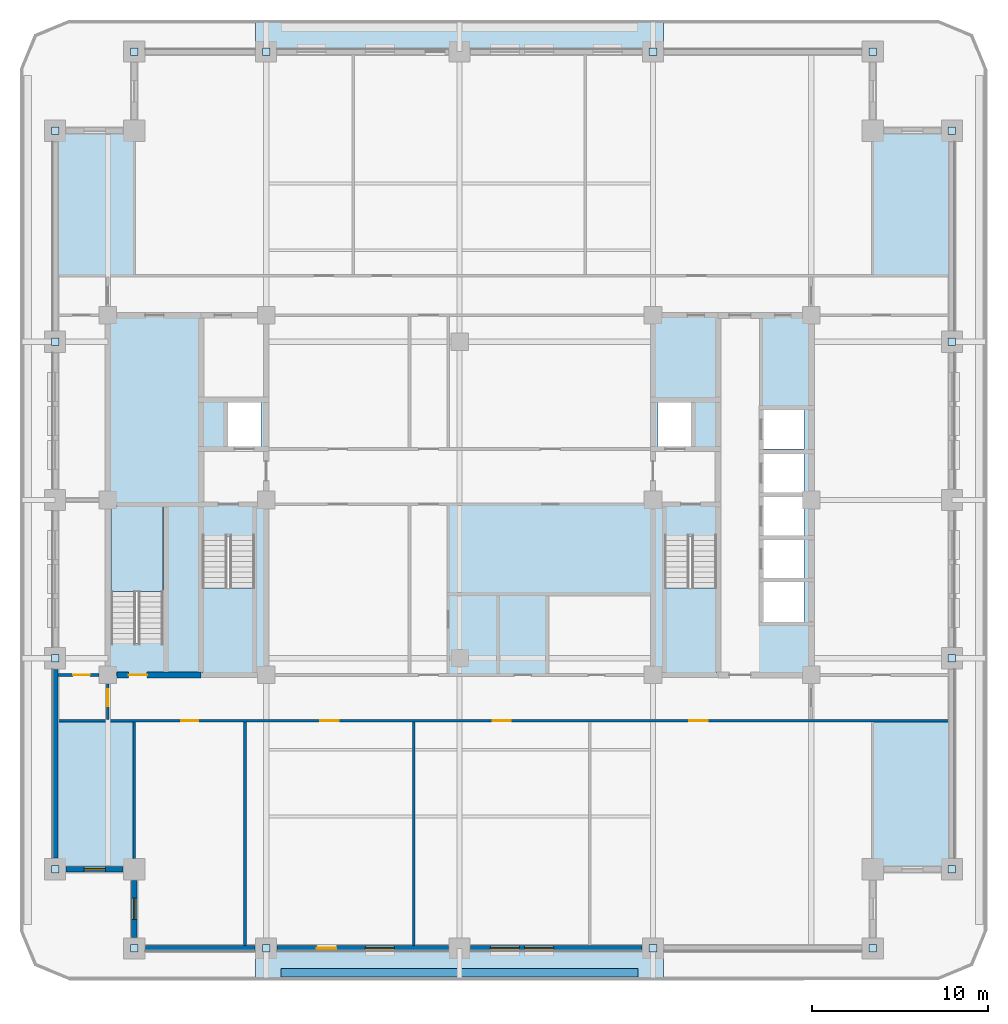
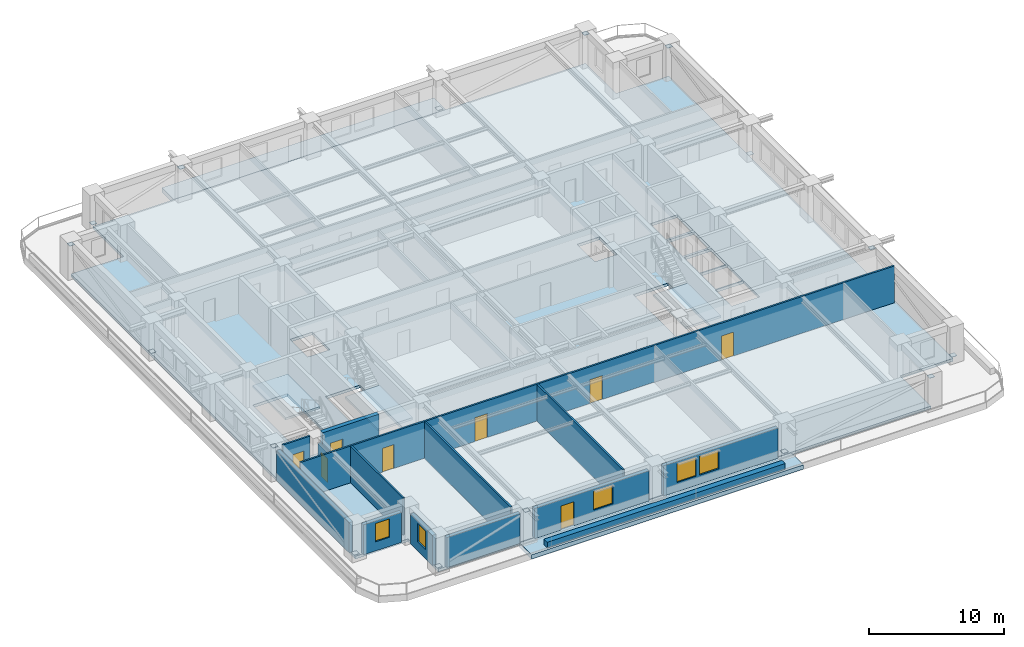
# One storey, part 2 of 13: 16 plates, 14 walls, 8 doors, 6 slabs, 5 windows, 13 openings, 3 elements without a shape of their own.
"""IFC4 building model written with IfcOpenShell, lengths in metres."""

from ifc_helpers import new_model, si_unit, direction, frame, frame_2d, origin, origin_2d, place, context, subcontext, project, spatial, polyline, rectangle, outline, extrude, material, layer, layer_set, type_object, element, fill, aggregate, save


model = new_model("IFC4")

# Units and contexts
model_context = context("Model", 3, precision=1e-05, world=origin(), true_north=direction((0.0, 1.0)))
body_context = subcontext(model_context, "Body", "Model", "MODEL_VIEW")
ifc_project = project(units=[si_unit("LENGTHUNIT", "METRE"), si_unit("AREAUNIT", "SQUARE_METRE"), si_unit("VOLUMEUNIT", "CUBIC_METRE"), si_unit("PLANEANGLEUNIT", "RADIAN"), si_unit("MASSUNIT", "GRAM", prefix="KILO")], contexts=[model_context])

# Site, building, storey
site_placement = place(None, origin())
site = spatial("IfcSite", under=ifc_project, at=site_placement, CompositionType="ELEMENT")
building_placement = place(site_placement, origin())
building = spatial("IfcBuilding", under=site, at=building_placement, Name="Zulmaris Gate Convention Tower", CompositionType="ELEMENT")
storey_placement = place(building_placement, frame((0.0, 0.0, 91.35986328125)))
storey = spatial("IfcBuildingStorey", under=building, at=storey_placement, Name="L22", CompositionType="ELEMENT", Elevation=91.35986328125)

# Plates
ifc_material_1 = material(Name="Steel S460", Category="steel")
ifc_layer_1 = layer(ifc_material_1, 0.02490234375, Name="Steel S460")
ifc_layer_set_1 = layer_set([ifc_layer_1], Name="Steel S460")
plate_type = type_object("IfcPlateType", Name="NP-CAP-440", PredefinedType="USERDEFINED", material=ifc_layer_set_1)
for number, where, z_axis, x_axis, name in (
    (1, (-23.0, -21.0, 0.28759765625), (0.0, 0.0, 1.0), (1.0, 0.0, 0.0), "L22 Steel Node Plate PBR-L22-SW-W-CAP"),
    (2, (-23.0, -9.0, 2.6875), (0.0, 0.0, 1.0), (1.0, 0.0, 0.0), "L22 Steel Node Plate PBR-L22-SW-W-CAPB"),
    (3, (-23.0, 9.0, 0.28759765625), (0.0, 0.0, 1.0), (1.0, 0.0, 0.0), "L22 Steel Node Plate PBR-L22-NW-W-CAP"),
    (4, (-23.0, 21.0, 2.6875), (0.0, 0.0, 1.0), (1.0, 0.0, 0.0), "L22 Steel Node Plate PBR-L22-NW-W-CAPB"),
    (5, (28.0, -21.0, 0.28759765625), (0.0, 0.0, 1.0), (1.0, 0.0, 0.0), "L22 Steel Node Plate PBR-L22-SE-E-CAP"),
    (6, (28.0, -9.0, 2.6875), (0.0, 0.0, 1.0), (1.0, 0.0, 0.0), "L22 Steel Node Plate PBR-L22-SE-E-CAPB"),
    (7, (28.0, 9.0, 0.28759765625), (0.0, 0.0, 1.0), (1.0, 0.0, 0.0), "L22 Steel Node Plate PBR-L22-NE-E-CAP"),
    (8, (28.0, 21.0, 2.6875), (0.0, 0.0, 1.0), (1.0, 0.0, 0.0), "L22 Steel Node Plate PBR-L22-NE-E-CAPB"),
    (9, (-18.5, -25.5, 0.28759765625), (0.0, 0.0, 1.0), (1.0, 0.0, 0.0), "L22 Steel Node Plate PBR-L22-SW-S-CAP"),
    (10, (-11.0, -25.5, 2.6875), (0.0, 0.0, 1.0), (1.0, 0.0, 0.0), "L22 Steel Node Plate PBR-L22-SW-S-CAPB"),
    (11, (11.0, -25.5, 0.28759765625), (0.0, 0.0, 1.0), (1.0, 0.0, 0.0), "L22 Steel Node Plate PBR-L22-SE-S-CAP"),
    (12, (23.5, -25.5, 2.6875), (0.0, 0.0, 1.0), (1.0, 0.0, 0.0), "L22 Steel Node Plate PBR-L22-SE-S-CAPB"),
    (13, (-18.5, 25.5, 0.28759765625), (0.0, 0.0, 1.0), (1.0, 0.0, 0.0), "L22 Steel Node Plate PBR-L22-NW-N-CAP"),
    (14, (-11.0, 25.5, 2.6875), (0.0, 0.0, 1.0), (1.0, 0.0, 0.0), "L22 Steel Node Plate PBR-L22-NW-N-CAPB"),
    (15, (11.0, 25.5, 0.28759765625), (0.0, 0.0, 1.0), (1.0, 0.0, 0.0), "L22 Steel Node Plate PBR-L22-NE-N-CAP"),
    (16, (23.5, 25.5, 2.6875), (0.0, 0.0, 1.0), (1.0, 0.0, 0.0), "L22 Steel Node Plate PBR-L22-NE-N-CAPB"),
):
    element("IfcPlate", number, at=place(storey_placement, frame(where, z_axis=z_axis, x_axis=x_axis)), inside=storey, type_object=plate_type, Name=name, ObjectType="FLANGE PLATE", PredefinedType="USERDEFINED", context=body_context, shape_type="SweptSolid", body=[
        extrude(rectangle(XDim=0.43994140625, YDim=0.43994140625, at=origin_2d()), origin(), (0.0, 0.0, 1.0), 0.02490234375),
    ])

# Slabs
ifc_material_2 = material(Name="Precast concrete C50/60", Category="concrete")
ifc_layer_2 = layer(ifc_material_2, 0.260009765625, Name="Precast concrete C50/60")
ifc_layer_set_2 = layer_set([ifc_layer_2], Name="Precast concrete C50/60")
slab_type_1 = type_object("IfcSlabType", Name="SL-BAL-260", PredefinedType="FLOOR", material=ifc_layer_set_2)
slab_1_placement = place(storey_placement, frame((0.0, 0.0, -0.425048828125)))
element("IfcSlab", 17, at=slab_1_placement, inside=storey, type_object=slab_type_1, Name="L22 South Tree-Balcony Planter Slab", PredefinedType="FLOOR", context=body_context, shape_type="SweptSolid", body=[
    extrude(outline(polyline([(-11.597900390625, -27.300048828125), (-11.597900390625, -25.5), (11.597900390625, -25.5), (11.597900390625, -27.300048828125), (-11.597900390625, -27.300048828125)])), origin(), (0.0, 0.0, 1.0), 0.385009765625),
])
slab_2_placement = place(storey_placement, frame((0.0, 0.0, -0.425048828125)))
element("IfcSlab", 18, at=slab_2_placement, inside=storey, type_object=slab_type_1, Name="L22 North Tree-Balcony Planter Slab", PredefinedType="FLOOR", context=body_context, shape_type="SweptSolid", body=[
    extrude(outline(polyline([(11.597900390625, 27.300048828125), (11.597900390625, 25.5), (-11.597900390625, 25.5), (-11.597900390625, 27.300048828125), (11.597900390625, 27.300048828125)])), origin(), (0.0, 0.0, 1.0), 0.385009765625),
])
ifc_material_3 = material(Name="Concrete C50/60", Category="concrete")
ifc_layer_3 = layer(ifc_material_3, 0.25, Name="Concrete C50/60")
ifc_layer_set_3 = layer_set([ifc_layer_3], Name="Concrete C50/60")
slab_type_2 = type_object("IfcSlabType", Name="SL-FLR-250", PredefinedType="FLOOR", material=ifc_layer_set_3)
slab_3_placement = place(storey_placement, frame((0.0, 0.0, -0.25)))
element("IfcSlab", 19, at=slab_3_placement, inside=storey, type_object=slab_type_2, Name="L22 Shifted Notched-Square Structural Floor Slab", PredefinedType="FLOOR", context=body_context, shape_type="SweptSolid", body=[
    extrude(outline(polyline([(-18.5, -25.5), (23.5, -25.5), (23.5, -21.0), (28.0, -21.0), (28.0, 21.0), (23.5, 21.0), (23.5, 25.5), (-18.5, 25.5), (-18.5, 21.0), (-23.0, 21.0), (-23.0, -21.0), (-18.5, -21.0), (-18.5, -25.5)]), holes=[polyline([(-14.6201171875, -2.080078125), (-14.6201171875, -9.85009765625), (-11.659912109375, -9.85009765625), (-11.659912109375, -2.080078125), (-14.6201171875, -2.080078125)]), polyline([(11.659912109375, -2.080078125), (11.659912109375, -9.85009765625), (14.6201171875, -9.85009765625), (14.6201171875, -2.080078125), (11.659912109375, -2.080078125)]), polyline([(-16.860107421875, -8.1201171875), (-16.860107421875, -0.35009765625), (-19.820068359375, -0.35009765625), (-19.820068359375, -8.1201171875), (-16.860107421875, -8.1201171875)]), polyline([(-13.199951171875, 3.0), (-11.300048828125, 3.0), (-11.300048828125, 5.60009765625), (-13.199951171875, 5.60009765625), (-13.199951171875, 3.0)]), polyline([(11.300048828125, 3.0), (13.199951171875, 3.0), (13.199951171875, 5.60009765625), (11.300048828125, 5.60009765625), (11.300048828125, 3.0)]), polyline([(17.199951171875, -7.0), (19.60009765625, -7.0), (19.60009765625, -4.60009765625), (17.199951171875, -4.60009765625), (17.199951171875, -7.0)]), polyline([(17.300048828125, -4.5), (19.60009765625, -4.5), (19.60009765625, -2.199951171875), (17.300048828125, -2.199951171875), (17.300048828125, -4.5)]), polyline([(17.300048828125, -2.10009765625), (19.60009765625, -2.10009765625), (19.60009765625, 0.199951171875), (17.300048828125, 0.199951171875), (17.300048828125, -2.10009765625)]), polyline([(17.300048828125, 0.39990234375), (19.60009765625, 0.39990234375), (19.60009765625, 2.699951171875), (17.300048828125, 2.699951171875), (17.300048828125, 0.39990234375)]), polyline([(17.300048828125, 2.89990234375), (19.60009765625, 2.89990234375), (19.60009765625, 5.199951171875), (17.300048828125, 5.199951171875), (17.300048828125, 2.89990234375)])]), origin(), (0.0, 0.0, 1.0), 0.25),
])

# Stair, slab
ifc_material_4 = material(Name="Concrete C45/55", Category="concrete")
stair_type = type_object("IfcStairType", Name="ST-CORE-DOGLEG", PredefinedType="HALF_TURN_STAIR", material=ifc_material_4)
stair_1_placement = place(storey_placement, origin())
stair_1 = element("IfcStair", 20, at=stair_1_placement, inside=storey, type_object=stair_type, Name="L22 Core Exit Stair ST-1", PredefinedType="HALF_TURN_STAIR")
ifc_layer_4 = layer(ifc_material_4, 0.199951171875, Name="Concrete C45/55")
ifc_layer_set_4 = layer_set([ifc_layer_4], Name="Concrete C45/55")
slab_type_3 = type_object("IfcSlabType", Name="SL-LND-200", PredefinedType="LANDING", material=ifc_layer_set_4)
slab_4_placement = place(storey_placement, frame((0.0, 0.0, 1.5849609375)))
slab_4 = element("IfcSlab", 21, at=slab_4_placement, type_object=slab_type_3, Name="ST-1 landing 1", PredefinedType="LANDING", context=body_context, shape_type="SweptSolid", body=[
    extrude(outline(polyline([(-14.6201171875, -5.0), (-14.6201171875, -9.85009765625), (-11.659912109375, -9.85009765625), (-11.659912109375, -5.0), (-14.6201171875, -5.0)])), origin(), (0.0, 0.0, 1.0), 0.2001953125),
])
aggregate(stair_1, [slab_4])

stair_2_placement = place(storey_placement, origin())
stair_2 = element("IfcStair", 22, at=stair_2_placement, inside=storey, type_object=stair_type, Name="L22 Core Exit Stair ST-2", PredefinedType="HALF_TURN_STAIR")
slab_5_placement = place(storey_placement, frame((0.0, 0.0, 1.5849609375)))
slab_5 = element("IfcSlab", 23, at=slab_5_placement, type_object=slab_type_3, Name="ST-2 landing 1", PredefinedType="LANDING", context=body_context, shape_type="SweptSolid", body=[
    extrude(outline(polyline([(11.659912109375, -5.0), (11.659912109375, -9.85009765625), (14.6201171875, -9.85009765625), (14.6201171875, -5.0), (11.659912109375, -5.0)])), origin(), (0.0, 0.0, 1.0), 0.2001953125),
])
aggregate(stair_2, [slab_5])

stair_3_placement = place(storey_placement, origin())
stair_3 = element("IfcStair", 24, at=stair_3_placement, inside=storey, type_object=stair_type, Name="L22 Core Exit Stair ST-3", PredefinedType="HALF_TURN_STAIR")
slab_6_placement = place(storey_placement, frame((0.0, 0.0, 1.5849609375)))
slab_6 = element("IfcSlab", 25, at=slab_6_placement, type_object=slab_type_3, Name="ST-3 landing 1", PredefinedType="LANDING", context=body_context, shape_type="SweptSolid", body=[
    extrude(outline(polyline([(-16.860107421875, -5.199951171875), (-16.860107421875, -0.35009765625), (-19.820068359375, -0.35009765625), (-19.820068359375, -5.199951171875), (-16.860107421875, -5.199951171875)])), origin(), (0.0, 0.0, 1.0), 0.2001953125),
])
aggregate(stair_3, [slab_6])

# Wall, opening, door
ifc_material_5 = material(Name="Concrete C55/67", Category="concrete")
ifc_layer_5 = layer(ifc_material_5, 0.35009765625, Name="Concrete C55/67")
ifc_layer_set_5 = layer_set([ifc_layer_5], Name="Concrete C55/67")
wall_type_1 = type_object("IfcWallType", Name="CORE-350", PredefinedType="SHEAR", material=ifc_layer_set_5)
wall_1_placement = place(storey_placement, frame((-19.49609375, -9.949951171875, 0.0), z_axis=(0.0, 0.0, 1.0), x_axis=(1.0, 0.0, 0.0)))
wall_1 = element("IfcWall", 26, at=wall_1_placement, inside=storey, type_object=wall_type_1, Name="WL-L22-001", PredefinedType="SHEAR", context=body_context, shape_type="SweptSolid", body=[
    extrude(rectangle(XDim=4.796142578125, YDim=0.35009765625, at=frame_2d((2.39794921875, 0.0))), origin(), (0.0, 0.0, 1.0), 3.320068359375),
])
opening_1_placement = place(wall_1_placement, frame((0.6708984375, 0.0, 0.0)))
opening_1 = element("IfcOpeningElement", 27, at=opening_1_placement, cuts=wall_1, Name="Opening D-09", PredefinedType="OPENING", context=body_context, shape_type="SweptSolid", body=[
    extrude(rectangle(XDim=1.050048828125, YDim=2.14990234375, at=frame_2d((0.52490234375, 1.074951171875))), frame((0.0, 0.18505859375, 0.0), z_axis=(0.0, -1.0, 0.0), x_axis=(1.0, 0.0, 0.0)), (0.0, 0.0, 1.0), 0.3701171875),
])
ifc_material_6 = material(Name="Fire-Rated Steel", Category="steel")
door_type_1 = type_object("IfcDoorType", Name="DR-1050-FD", OperationType="NOTDEFINED", PredefinedType="DOOR", material=ifc_material_6)
door_1_placement = place(opening_1_placement, origin())
door_1 = element("IfcDoor", 28, at=door_1_placement, inside=storey, type_object=door_type_1, Name="L22 Exit Stair ST-3 Door 09", OperationType="SINGLE_SWING_LEFT", OverallHeight=2.14990234375, OverallWidth=1.050048828125, PredefinedType="DOOR", context=body_context, shape_type="SweptSolid", body=[
    extrude(rectangle(XDim=1.050048828125, YDim=2.14990234375, at=frame_2d((0.52490234375, 1.074951171875))), frame((0.0, 0.02490234375, 0.0), z_axis=(0.0, -1.0, 0.0), x_axis=(1.0, 0.0, 0.0)), (0.0, 0.0, 1.0), 0.050048828125),
])
fill(opening_1, door_1)

# Wall, openings, doors
ifc_material_7 = material(Name="Gypsum Metal Stud Partition")
ifc_layer_6 = layer(ifc_material_7, 0.14990234375, Name="Gypsum Metal Stud Partition")
ifc_layer_set_6 = layer_set([ifc_layer_6], Name="Gypsum Metal Stud Partition")
wall_type_2 = type_object("IfcWallType", Name="PART-150", PredefinedType="PARTITIONING", material=ifc_layer_set_6)
wall_2_placement = place(storey_placement, frame((-22.8349609375, -12.550048828125, 0.0), z_axis=(0.0, 0.0, 1.0), x_axis=(1.0, 0.0, 0.0)))
wall_2 = element("IfcWall", 29, at=wall_2_placement, inside=storey, type_object=wall_type_2, Name="WL-L22-021", PredefinedType="PARTITIONING", context=body_context, shape_type="SweptSolid", body=[
    extrude(rectangle(XDim=50.669921875, YDim=0.14990234375, at=frame_2d((25.3349609375, 0.0))), origin(), (0.0, 0.0, 1.0), 3.320068359375),
])
opening_2_placement = place(wall_2_placement, frame((7.010009765625, 0.0, 0.0)))
opening_2 = element("IfcOpeningElement", 30, at=opening_2_placement, cuts=wall_2, Name="Opening D-11", PredefinedType="OPENING", context=body_context, shape_type="SweptSolid", body=[
    extrude(rectangle(XDim=0.949951171875, YDim=2.14990234375, at=frame_2d((0.47509765625, 1.074951171875))), frame((0.0, 0.0849609375, 0.0), z_axis=(0.0, -1.0, 0.0), x_axis=(1.0, 0.0, 0.0)), (0.0, 0.0, 1.0), 0.169921875),
])
opening_3_placement = place(wall_2_placement, frame((14.909912109375, 0.0, 0.0)))
opening_3 = element("IfcOpeningElement", 31, at=opening_3_placement, cuts=wall_2, Name="Opening D-09", PredefinedType="OPENING", context=body_context, shape_type="SweptSolid", body=[
    extrude(rectangle(XDim=1.050048828125, YDim=2.14990234375, at=frame_2d((0.52490234375, 1.074951171875))), frame((0.0, 0.0849609375, 0.0), z_axis=(0.0, -1.0, 0.0), x_axis=(1.0, 0.0, 0.0)), (0.0, 0.0, 1.0), 0.169921875),
])
opening_4_placement = place(wall_2_placement, frame((24.7099609375, 0.0, 0.0)))
opening_4 = element("IfcOpeningElement", 32, at=opening_4_placement, cuts=wall_2, Name="Opening D-09", PredefinedType="OPENING", context=body_context, shape_type="SweptSolid", body=[
    extrude(rectangle(XDim=1.050048828125, YDim=2.14990234375, at=frame_2d((0.52490234375, 1.074951171875))), frame((0.0, 0.0849609375, 0.0), z_axis=(0.0, -1.0, 0.0), x_axis=(1.0, 0.0, 0.0)), (0.0, 0.0, 1.0), 0.169921875),
])
opening_5_placement = place(wall_2_placement, frame((35.909912109375, 0.0, 0.0)))
opening_5 = element("IfcOpeningElement", 33, at=opening_5_placement, cuts=wall_2, Name="Opening D-09", PredefinedType="OPENING", context=body_context, shape_type="SweptSolid", body=[
    extrude(rectangle(XDim=1.050048828125, YDim=2.14990234375, at=frame_2d((0.52490234375, 1.074951171875))), frame((0.0, 0.0849609375, 0.0), z_axis=(0.0, -1.0, 0.0), x_axis=(1.0, 0.0, 0.0)), (0.0, 0.0, 1.0), 0.169921875),
])
door_2_placement = place(opening_3_placement, origin())
door_2 = element("IfcDoor", 34, at=door_2_placement, inside=storey, type_object=door_type_1, Name="L22 Corporate Strategy Office Door 26", OperationType="SINGLE_SWING_RIGHT", OverallHeight=2.14990234375, OverallWidth=1.050048828125, PredefinedType="DOOR", context=body_context, shape_type="SweptSolid", body=[
    extrude(rectangle(XDim=1.050048828125, YDim=2.14990234375, at=frame_2d((0.52490234375, 1.074951171875))), frame((0.0, 0.02490234375, 0.0), z_axis=(0.0, -1.0, 0.0), x_axis=(1.0, 0.0, 0.0)), (0.0, 0.0, 1.0), 0.050048828125),
])
fill(opening_3, door_2)
door_3_placement = place(opening_4_placement, origin())
door_3 = element("IfcDoor", 35, at=door_3_placement, inside=storey, type_object=door_type_1, Name="L22 Project Advisory Studio Door 27", OperationType="SINGLE_SWING_LEFT", OverallHeight=2.14990234375, OverallWidth=1.050048828125, PredefinedType="DOOR", context=body_context, shape_type="SweptSolid", body=[
    extrude(rectangle(XDim=1.050048828125, YDim=2.14990234375, at=frame_2d((0.52490234375, 1.074951171875))), frame((0.0, 0.02490234375, 0.0), z_axis=(0.0, -1.0, 0.0), x_axis=(1.0, 0.0, 0.0)), (0.0, 0.0, 1.0), 0.050048828125),
])
fill(opening_4, door_3)
door_4_placement = place(opening_5_placement, origin())
door_4 = element("IfcDoor", 36, at=door_4_placement, inside=storey, type_object=door_type_1, Name="L22 Policy Research Study Door 28", OperationType="SINGLE_SWING_RIGHT", OverallHeight=2.14990234375, OverallWidth=1.050048828125, PredefinedType="DOOR", context=body_context, shape_type="SweptSolid", body=[
    extrude(rectangle(XDim=1.050048828125, YDim=2.14990234375, at=frame_2d((0.52490234375, 1.074951171875))), frame((0.0, 0.02490234375, 0.0), z_axis=(0.0, -1.0, 0.0), x_axis=(1.0, 0.0, 0.0)), (0.0, 0.0, 1.0), 0.050048828125),
])
fill(opening_5, door_4)
ifc_material_8 = material(Name="Fire-Rated Timber", Category="wood")
door_type_2 = type_object("IfcDoorType", Name="DR-950-FD", OperationType="NOTDEFINED", PredefinedType="DOOR", material=ifc_material_8)
door_5_placement = place(opening_2_placement, origin())
door_5 = element("IfcDoor", 37, at=door_5_placement, inside=storey, type_object=door_type_2, Name="L22 Executive Boardroom Door 25", OperationType="SINGLE_SWING_LEFT", OverallHeight=2.14990234375, OverallWidth=0.949951171875, PredefinedType="DOOR", context=body_context, shape_type="SweptSolid", body=[
    extrude(rectangle(XDim=0.949951171875, YDim=2.14990234375, at=frame_2d((0.47509765625, 1.074951171875))), frame((0.0, 0.02490234375, 0.0), z_axis=(0.0, -1.0, 0.0), x_axis=(1.0, 0.0, 0.0)), (0.0, 0.0, 1.0), 0.050048828125),
])
fill(opening_2, door_5)

# Wall, opening, door
wall_3_placement = place(storey_placement, frame((-22.8349609375, -9.949951171875, 0.0), z_axis=(0.0, 0.0, 1.0), x_axis=(1.0, 0.0, 0.0)))
wall_3 = element("IfcWall", 38, at=wall_3_placement, inside=storey, type_object=wall_type_2, Name="WL-L22-022", PredefinedType="PARTITIONING", context=body_context, shape_type="SweptSolid", body=[
    extrude(rectangle(XDim=2.328857421875, YDim=0.14990234375, at=frame_2d((1.16455078125, 0.0))), origin(), (0.0, 0.0, 1.0), 3.320068359375),
])
opening_6_placement = place(wall_3_placement, frame((0.860107421875, 0.0, 0.0)))
opening_6 = element("IfcOpeningElement", 39, at=opening_6_placement, cuts=wall_3, Name="Opening D-11", PredefinedType="OPENING", context=body_context, shape_type="SweptSolid", body=[
    extrude(rectangle(XDim=0.949951171875, YDim=2.14990234375, at=frame_2d((0.47509765625, 1.074951171875))), frame((0.0, 0.0849609375, 0.0), z_axis=(0.0, -1.0, 0.0), x_axis=(1.0, 0.0, 0.0)), (0.0, 0.0, 1.0), 0.169921875),
])
door_6_placement = place(opening_6_placement, origin())
door_6 = element("IfcDoor", 40, at=door_6_placement, inside=storey, type_object=door_type_2, Name="L22 SW Partner Door 39", OperationType="SINGLE_SWING_LEFT", OverallHeight=2.14990234375, OverallWidth=0.949951171875, PredefinedType="DOOR", context=body_context, shape_type="SweptSolid", body=[
    extrude(rectangle(XDim=0.949951171875, YDim=2.14990234375, at=frame_2d((0.47509765625, 1.074951171875))), frame((0.0, 0.02490234375, 0.0), z_axis=(0.0, -1.0, 0.0), x_axis=(1.0, 0.0, 0.0)), (0.0, 0.0, 1.0), 0.050048828125),
])
fill(opening_6, door_6)

wall_4_placement = place(storey_placement, frame((-20.0, -12.471923828125, 0.0), z_axis=(0.0, 0.0, 1.0), x_axis=(0.0, 1.0, 0.0)))
wall_4 = element("IfcWall", 41, at=wall_4_placement, inside=storey, type_object=wall_type_2, Name="WL-L22-068", PredefinedType="PARTITIONING", context=body_context, shape_type="SweptSolid", body=[
    extrude(rectangle(XDim=2.015869140625, YDim=0.14990234375, at=frame_2d((1.0078125, 0.0))), origin(), (0.0, 0.0, 1.0), 2.81005859375),
])
opening_7_placement = place(wall_4_placement, frame((0.7470703125, 0.0, 0.0)))
opening_7 = element("IfcOpeningElement", 42, at=opening_7_placement, cuts=wall_4, Name="Opening D-11", PredefinedType="OPENING", context=body_context, shape_type="SweptSolid", body=[
    extrude(rectangle(XDim=0.949951171875, YDim=2.14990234375, at=frame_2d((0.47509765625, 1.074951171875))), frame((0.0, 0.0849609375, 0.0), z_axis=(0.0, -1.0, 0.0), x_axis=(1.0, 0.0, 0.0)), (0.0, 0.0, 1.0), 0.169921875),
])
door_7_placement = place(opening_7_placement, origin())
door_7 = element("IfcDoor", 43, at=door_7_placement, inside=storey, type_object=door_type_2, Name="L22 SW Spur Door 37", OperationType="SINGLE_SWING_LEFT", OverallHeight=2.14990234375, OverallWidth=0.949951171875, PredefinedType="DOOR", context=body_context, shape_type="SweptSolid", body=[
    extrude(rectangle(XDim=0.949951171875, YDim=2.14990234375, at=frame_2d((0.47509765625, 1.074951171875))), frame((0.0, 0.02490234375, 0.0), z_axis=(0.0, -1.0, 0.0), x_axis=(1.0, 0.0, 0.0)), (0.0, 0.0, 1.0), 0.050048828125),
])
fill(opening_7, door_7)

# Walls
wall_5_placement = place(storey_placement, frame((-18.5, -20.39404296875, 0.0), z_axis=(0.0, 0.0, 1.0), x_axis=(0.0, 1.0, 0.0)))
element("IfcWall", 44, at=wall_5_placement, inside=storey, type_object=wall_type_2, Name="WL-L22-070", PredefinedType="PARTITIONING", context=body_context, shape_type="SweptSolid", body=[
    extrude(rectangle(XDim=7.76611328125, YDim=0.14990234375, at=frame_2d((3.883056640625, 0.0))), origin(), (0.0, 0.0, 1.0), 3.320068359375),
])
for number, where, z_axis, x_axis, name in (
    (45, (-12.199951171875, -25.3349609375, 0.0), (0.0, 0.0, 1.0), (0.0, 1.0, 0.0), "WL-L22-072"),
    (46, (-2.60009765625, -25.3349609375, 0.0), (0.0, 0.0, 1.0), (0.0, 1.0, 0.0), "WL-L22-076"),
):
    element("IfcWall", number, at=place(storey_placement, frame(where, z_axis=z_axis, x_axis=x_axis)), inside=storey, type_object=wall_type_2, Name=name, PredefinedType="PARTITIONING", context=body_context, shape_type="SweptSolid", body=[
        extrude(rectangle(XDim=12.70703125, YDim=0.14990234375, at=frame_2d((6.353515625, 0.0))), origin(), (0.0, 0.0, 1.0), 3.320068359375),
    ])
ifc_material_9 = material(Name="Botanical Green Glazed Precast Concrete C40/50", Category="concrete")
ifc_layer_7 = layer(ifc_material_9, 0.419921875, Name="Botanical Green Glazed Precast Concrete C40/50")
ifc_layer_set_7 = layer_set([ifc_layer_7], Name="Botanical Green Glazed Precast Concrete C40/50")
wall_type_3 = type_object("IfcWallType", Name="PLANTER-CURB-200", PredefinedType="PARAPET", material=ifc_layer_set_7)
wall_6_placement = place(storey_placement, frame((-10.14990234375, -26.8798828125, -0.0400390625), z_axis=(0.0, 0.0, 1.0), x_axis=(1.0, 0.0, 0.0)))
element("IfcWall", 47, at=wall_6_placement, inside=storey, type_object=wall_type_3, Name="L22 Full-Length Balcony Tree Planter Trough", PredefinedType="PARAPET", context=body_context, shape_type="SweptSolid", body=[
    extrude(rectangle(XDim=20.2998046875, YDim=0.47998046875, at=frame_2d((10.14990234375, 0.0))), origin(), (0.0, 0.0, 1.0), 0.52001953125),
])

# Wall, opening, window
ifc_material_10 = material(Name="Precast concrete C40/50", Category="concrete")
ifc_layer_8 = layer(ifc_material_10, 0.300048828125, Name="Precast concrete C40/50")
ifc_layer_set_8 = layer_set([ifc_layer_8], Name="Precast concrete C40/50")
wall_type_4 = type_object("IfcWallType", Name="PRECAST-PIER-300", PredefinedType="STANDARD", material=ifc_layer_set_8)
wall_7_placement = place(storey_placement, frame((-22.3701171875, -21.0, 0.0), z_axis=(0.0, 0.0, 1.0), x_axis=(1.0, 0.0, 0.0)))
wall_7 = element("IfcWall", 48, at=wall_7_placement, inside=storey, type_object=wall_type_4, Name="EW-L22-NOTCH-SW1_0", PredefinedType="STANDARD", context=body_context, shape_type="SweptSolid", body=[
    extrude(rectangle(XDim=3.240234375, YDim=0.300048828125, at=frame_2d((1.6201171875, 0.0))), origin(), (0.0, 0.0, 1.0), 2.712158203125),
])
opening_8_placement = place(wall_7_placement, frame((1.02001953125, 0.0, 0.820068359375)))
opening_8 = element("IfcOpeningElement", 49, at=opening_8_placement, cuts=wall_7, Name="Opening W-04", PredefinedType="OPENING", context=body_context, shape_type="SweptSolid", body=[
    extrude(rectangle(XDim=1.199951171875, YDim=1.64990234375, at=frame_2d((0.60009765625, 0.824951171875))), frame((0.0, 0.16015625, 0.0), z_axis=(0.0, -1.0, 0.0), x_axis=(1.0, 0.0, 0.0)), (0.0, 0.0, 1.0), 0.320068359375),
])
ifc_material_11 = material(Name="Low-E Laminated Double Glazing in Aluminium Frame", Category="aluminium")
window_type_1 = type_object("IfcWindowType", Name="WIN-1200x2100", PartitioningType="SINGLE_PANEL", PredefinedType="WINDOW", material=ifc_material_11)
window_1_placement = place(opening_8_placement, origin())
window_1 = element("IfcWindow", 50, at=window_1_placement, inside=storey, type_object=window_type_1, Name="WN-EW-L22-NOTCH-SW1_0", OverallHeight=1.64990234375, OverallWidth=1.199951171875, PartitioningType="SINGLE_PANEL", PredefinedType="WINDOW", context=body_context, shape_type="SweptSolid", body=[
    extrude(rectangle(XDim=1.199951171875, YDim=1.64990234375, at=frame_2d((0.60009765625, 0.824951171875))), frame((0.0, 0.030029296875, 0.0), z_axis=(0.0, -1.0, 0.0), x_axis=(1.0, 0.0, 0.0)), (0.0, 0.0, 1.0), 0.06005859375),
])
fill(opening_8, window_1)

wall_8_placement = place(storey_placement, frame((-18.5, -21.6298828125, 0.0), z_axis=(0.0, 0.0, 1.0), x_axis=(0.0, -1.0, 0.0)))
wall_8 = element("IfcWall", 51, at=wall_8_placement, inside=storey, type_object=wall_type_4, Name="EW-L22-NOTCH-SW2_0", PredefinedType="STANDARD", context=body_context, shape_type="SweptSolid", body=[
    extrude(rectangle(XDim=3.240234375, YDim=0.300048828125, at=frame_2d((1.6201171875, 0.0))), origin(), (0.0, 0.0, 1.0), 2.712158203125),
])
opening_9_placement = place(wall_8_placement, frame((1.02001953125, 0.0, 0.820068359375)))
opening_9 = element("IfcOpeningElement", 52, at=opening_9_placement, cuts=wall_8, Name="Opening W-04", PredefinedType="OPENING", context=body_context, shape_type="SweptSolid", body=[
    extrude(rectangle(XDim=1.199951171875, YDim=1.64990234375, at=frame_2d((0.60009765625, 0.824951171875))), frame((0.0, 0.16015625, 0.0), z_axis=(0.0, -1.0, 0.0), x_axis=(1.0, 0.0, 0.0)), (0.0, 0.0, 1.0), 0.320068359375),
])
window_2_placement = place(opening_9_placement, origin())
window_2 = element("IfcWindow", 53, at=window_2_placement, inside=storey, type_object=window_type_1, Name="WN-EW-L22-NOTCH-SW2_0", OverallHeight=1.64990234375, OverallWidth=1.199951171875, PartitioningType="SINGLE_PANEL", PredefinedType="WINDOW", context=body_context, shape_type="SweptSolid", body=[
    extrude(rectangle(XDim=1.199951171875, YDim=1.64990234375, at=frame_2d((0.60009765625, 0.824951171875))), frame((0.0, 0.030029296875, 0.0), z_axis=(0.0, -1.0, 0.0), x_axis=(1.0, 0.0, 0.0)), (0.0, 0.0, 1.0), 0.06005859375),
])
fill(opening_9, window_2)

# Wall
wall_9_placement = place(storey_placement, frame((-17.8701171875, -25.5, 0.0), z_axis=(0.0, 0.0, 1.0), x_axis=(1.0, 0.0, 0.0)))
element("IfcWall", 54, at=wall_9_placement, inside=storey, type_object=wall_type_4, Name="EW-L22-S-0_0", PredefinedType="STANDARD", context=body_context, shape_type="SweptSolid", body=[
    extrude(rectangle(XDim=6.240234375, YDim=0.300048828125, at=frame_2d((3.1201171875, 0.0))), origin(), (0.0, 0.0, 1.0), 2.712158203125),
])

# Wall, openings, door, window
wall_10_placement = place(storey_placement, frame((-10.3701171875, -25.5, 0.0), z_axis=(0.0, 0.0, 1.0), x_axis=(1.0, 0.0, 0.0)))
wall_10 = element("IfcWall", 55, at=wall_10_placement, inside=storey, type_object=wall_type_4, Name="EW-L22-S-1_0", PredefinedType="STANDARD", context=body_context, shape_type="SweptSolid", body=[
    extrude(rectangle(XDim=9.740234375, YDim=0.300048828125, at=frame_2d((4.8701171875, 0.0))), origin(), (0.0, 0.0, 1.0), 2.712158203125),
])
opening_10_placement = place(wall_10_placement, frame((2.260009765625, 0.0, 0.0)))
opening_10 = element("IfcOpeningElement", 56, at=opening_10_placement, cuts=wall_10, Name="Opening D-04", PredefinedType="OPENING", context=body_context, shape_type="SweptSolid", body=[
    extrude(rectangle(XDim=1.10009765625, YDim=2.14990234375, at=frame_2d((0.550048828125, 1.074951171875))), frame((0.0, 0.16015625, 0.0), z_axis=(0.0, -1.0, 0.0), x_axis=(1.0, 0.0, 0.0)), (0.0, 0.0, 1.0), 0.320068359375),
])
opening_11_placement = place(wall_10_placement, frame((5.01904296875, 0.0, 0.800048828125)))
opening_11 = element("IfcOpeningElement", 57, at=opening_11_placement, cuts=wall_10, Name="Opening W-08", PredefinedType="OPENING", context=body_context, shape_type="SweptSolid", body=[
    extrude(rectangle(XDim=1.64990234375, YDim=1.699951171875, at=frame_2d((0.824951171875, 0.85009765625))), frame((0.0, 0.16015625, 0.0), z_axis=(0.0, -1.0, 0.0), x_axis=(1.0, 0.0, 0.0)), (0.0, 0.0, 1.0), 0.320068359375),
])
ifc_material_12 = material(Name="Anodised Aluminium and Laminated Glass", Category="aluminium")
door_type_3 = type_object("IfcDoorType", Name="ED-1100", OperationType="SINGLE_SWING_RIGHT", PredefinedType="DOOR", material=ifc_material_12)
door_8_placement = place(opening_10_placement, origin())
door_8 = element("IfcDoor", 58, at=door_8_placement, inside=storey, type_object=door_type_3, Name="L22 S Planted Terrace Door", OperationType="SINGLE_SWING_RIGHT", OverallHeight=2.14990234375, OverallWidth=1.10009765625, PredefinedType="DOOR", context=body_context, shape_type="SweptSolid", body=[
    extrude(rectangle(XDim=1.10009765625, YDim=2.14990234375, at=frame_2d((0.550048828125, 1.074951171875))), frame((0.0, 0.02490234375, 0.0), z_axis=(0.0, -1.0, 0.0), x_axis=(1.0, 0.0, 0.0)), (0.0, 0.0, 1.0), 0.050048828125),
])
fill(opening_10, door_8)
window_type_2 = type_object("IfcWindowType", Name="WIN-1650x2150", PartitioningType="SINGLE_PANEL", PredefinedType="WINDOW", material=ifc_material_11)
window_3_placement = place(opening_11_placement, origin())
window_3 = element("IfcWindow", 59, at=window_3_placement, inside=storey, type_object=window_type_2, Name="WN-EW-L22-S-1_0-3", OverallHeight=1.699951171875, OverallWidth=1.64990234375, PartitioningType="SINGLE_PANEL", PredefinedType="WINDOW", context=body_context, shape_type="SweptSolid", body=[
    extrude(rectangle(XDim=1.64990234375, YDim=1.699951171875, at=frame_2d((0.824951171875, 0.85009765625))), frame((0.0, 0.030029296875, 0.0), z_axis=(0.0, -1.0, 0.0), x_axis=(1.0, 0.0, 0.0)), (0.0, 0.0, 1.0), 0.06005859375),
])
fill(opening_11, window_3)

# Wall, openings, windows
wall_11_placement = place(storey_placement, frame((0.6298828125, -25.5, 0.0), z_axis=(0.0, 0.0, 1.0), x_axis=(1.0, 0.0, 0.0)))
wall_11 = element("IfcWall", 60, at=wall_11_placement, inside=storey, type_object=wall_type_4, Name="EW-L22-S-2_0", PredefinedType="STANDARD", context=body_context, shape_type="SweptSolid", body=[
    extrude(rectangle(XDim=9.740234375, YDim=0.300048828125, at=frame_2d((4.8701171875, 0.0))), origin(), (0.0, 0.0, 1.0), 2.712158203125),
])
opening_12_placement = place(wall_11_placement, frame((1.123046875, 0.0, 0.800048828125)))
opening_12 = element("IfcOpeningElement", 61, at=opening_12_placement, cuts=wall_11, Name="Opening W-08", PredefinedType="OPENING", context=body_context, shape_type="SweptSolid", body=[
    extrude(rectangle(XDim=1.64990234375, YDim=1.699951171875, at=frame_2d((0.824951171875, 0.85009765625))), frame((0.0, 0.16015625, 0.0), z_axis=(0.0, -1.0, 0.0), x_axis=(1.0, 0.0, 0.0)), (0.0, 0.0, 1.0), 0.320068359375),
])
opening_13_placement = place(wall_11_placement, frame((3.071044921875, 0.0, 0.800048828125)))
opening_13 = element("IfcOpeningElement", 62, at=opening_13_placement, cuts=wall_11, Name="Opening W-08", PredefinedType="OPENING", context=body_context, shape_type="SweptSolid", body=[
    extrude(rectangle(XDim=1.64990234375, YDim=1.699951171875, at=frame_2d((0.824951171875, 0.85009765625))), frame((0.0, 0.16015625, 0.0), z_axis=(0.0, -1.0, 0.0), x_axis=(1.0, 0.0, 0.0)), (0.0, 0.0, 1.0), 0.320068359375),
])
window_4_placement = place(opening_12_placement, origin())
window_4 = element("IfcWindow", 63, at=window_4_placement, inside=storey, type_object=window_type_2, Name="WN-EW-L22-S-2_0-1", OverallHeight=1.699951171875, OverallWidth=1.64990234375, PartitioningType="SINGLE_PANEL", PredefinedType="WINDOW", context=body_context, shape_type="SweptSolid", body=[
    extrude(rectangle(XDim=1.64990234375, YDim=1.699951171875, at=frame_2d((0.824951171875, 0.85009765625))), frame((0.0, 0.030029296875, 0.0), z_axis=(0.0, -1.0, 0.0), x_axis=(1.0, 0.0, 0.0)), (0.0, 0.0, 1.0), 0.06005859375),
])
fill(opening_12, window_4)
window_5_placement = place(opening_13_placement, origin())
window_5 = element("IfcWindow", 64, at=window_5_placement, inside=storey, type_object=window_type_2, Name="WN-EW-L22-S-2_0-2", OverallHeight=1.699951171875, OverallWidth=1.64990234375, PartitioningType="SINGLE_PANEL", PredefinedType="WINDOW", context=body_context, shape_type="SweptSolid", body=[
    extrude(rectangle(XDim=1.64990234375, YDim=1.699951171875, at=frame_2d((0.824951171875, 0.85009765625))), frame((0.0, 0.030029296875, 0.0), z_axis=(0.0, -1.0, 0.0), x_axis=(1.0, 0.0, 0.0)), (0.0, 0.0, 1.0), 0.06005859375),
])
fill(opening_13, window_5)

# Wall
wall_12_placement = place(storey_placement, frame((-23.0, -9.6298828125, 0.0), z_axis=(0.0, 0.0, 1.0), x_axis=(0.0, -1.0, 0.0)))
element("IfcWall", 65, at=wall_12_placement, inside=storey, type_object=wall_type_4, Name="EW-L22-W-0_0", PredefinedType="STANDARD", context=body_context, shape_type="SweptSolid", body=[
    extrude(rectangle(XDim=10.740234375, YDim=0.300048828125, at=frame_2d((5.3701171875, 0.0))), origin(), (0.0, 0.0, 1.0), 2.712158203125),
])

save(model, "model.ifc")
